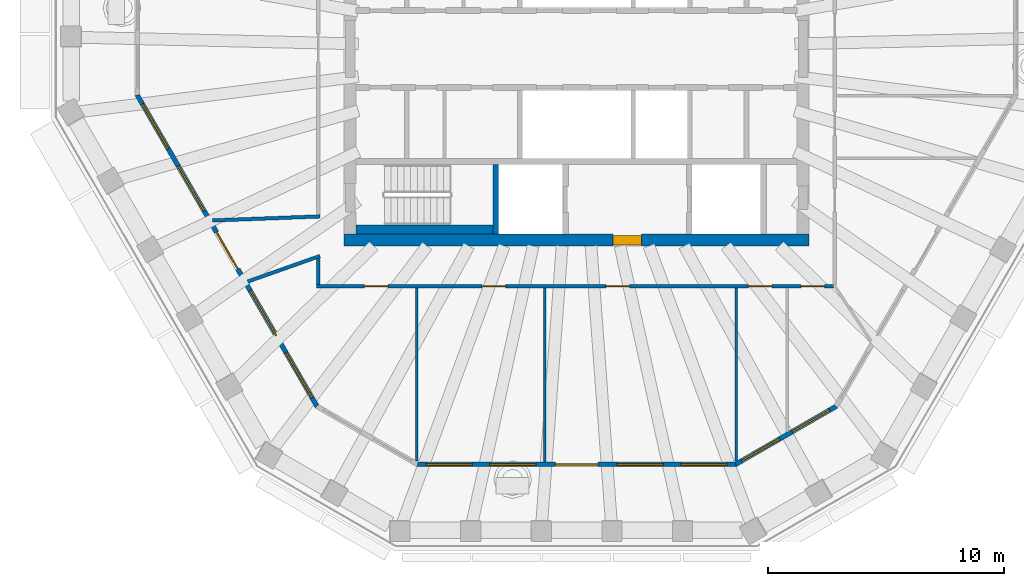
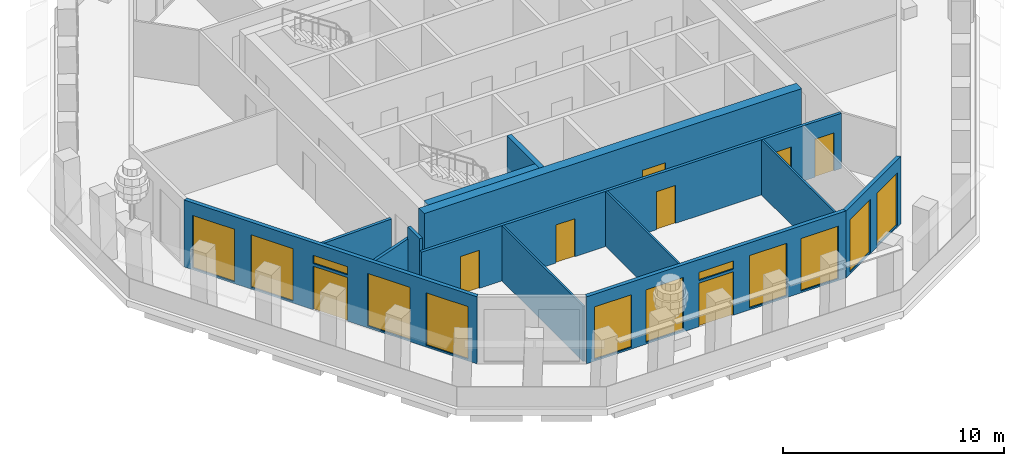
# One storey, part 3 of 11: 13 walls, 12 windows, 8 doors, 20 openings.
"""IFC4 building model written with IfcOpenShell, lengths in metres."""

from ifc_helpers import new_model, si_unit, direction, frame, frame_2d, origin, place, context, subcontext, project, spatial, polyline, rectangle, outline, extrude, material, layer, layer_set, type_object, element, fill, save


model = new_model("IFC4")

# Units and contexts
model_context = context("Model", 3, precision=1e-05, world=origin(), true_north=direction((0.0, 1.0)))
body_context = subcontext(model_context, "Body", "Model", "MODEL_VIEW")
ifc_project = project(units=[si_unit("LENGTHUNIT", "METRE"), si_unit("AREAUNIT", "SQUARE_METRE"), si_unit("VOLUMEUNIT", "CUBIC_METRE"), si_unit("PLANEANGLEUNIT", "RADIAN"), si_unit("MASSUNIT", "GRAM", prefix="KILO")], contexts=[model_context])

# Site, building, storey
site_placement = place(None, origin())
site = spatial("IfcSite", under=ifc_project, at=site_placement, CompositionType="ELEMENT")
building_placement = place(site_placement, origin())
building = spatial("IfcBuilding", under=site, at=building_placement, Name="Frailejon Research Tower", CompositionType="ELEMENT")
storey_placement = place(building_placement, frame((0.0, 0.0, 324.60009765625)))
storey = spatial("IfcBuildingStorey", under=building, at=storey_placement, Name="L72", CompositionType="ELEMENT", Elevation=324.60009765625)

# Wall, opening, door
ifc_material_1 = material(Name="Concrete C50/60", Category="concrete")
ifc_layer_1 = layer(ifc_material_1, 0.5)
ifc_layer_set_1 = layer_set([ifc_layer_1], Name="Core shear wall 500 C50/60")
wall_type_1 = type_object("IfcWallType", Name="Core shear wall 500 C50/60", PredefinedType="SHEAR", material=ifc_layer_set_1)
wall_1_placement = place(storey_placement, frame((-9.85009765625, -8.10009765625, 0.0), z_axis=(0.0, 0.0, 1.0), x_axis=(1.0, 0.0, 0.0)))
wall_1 = element("IfcWall", 1, at=wall_1_placement, inside=storey, type_object=wall_type_1, Name="Core shear wall", PredefinedType="SHEAR", context=body_context, shape_type="SweptSolid", body=[
    extrude(rectangle(XDim=19.7001953125, YDim=0.5, at=frame_2d((9.85009765625, 0.0))), origin(), (0.0, 0.0, 1.0), 3.699951171875),
])
opening_1_placement = place(wall_1_placement, frame((11.39990234375, 0.0, 0.0)))
opening_1 = element("IfcOpeningElement", 2, at=opening_1_placement, cuts=wall_1, Name="Opening D3", PredefinedType="OPENING", context=body_context, shape_type="SweptSolid", body=[
    extrude(rectangle(XDim=1.199951171875, YDim=2.10009765625, at=frame_2d((0.60009765625, 1.050048828125))), frame((0.0, 0.260009765625, 0.0), z_axis=(0.0, -1.0, 0.0), x_axis=(1.0, 0.0, 0.0)), (0.0, 0.0, 1.0), 0.52001953125),
])
ifc_material_2 = material(Name="Steel", Category="steel")
door_type_1 = type_object("IfcDoorType", Name="Firefighting lobby door", OperationType="SINGLE_SWING_LEFT", PredefinedType="DOOR", material=ifc_material_2)
door_1_placement = place(opening_1_placement, origin())
door_1 = element("IfcDoor", 3, at=door_1_placement, inside=storey, type_object=door_type_1, Name="Firefighting lobby door", OperationType="SINGLE_SWING_LEFT", OverallHeight=2.10009765625, OverallWidth=1.199951171875, PredefinedType="DOOR", context=body_context, shape_type="SweptSolid", body=[
    extrude(rectangle(XDim=1.199951171875, YDim=2.10009765625, at=frame_2d((0.60009765625, 1.050048828125))), frame((0.0, 0.199951171875, 0.0), z_axis=(0.0, -1.0, 0.0), x_axis=(1.0, 0.0, 0.0)), (0.0, 0.0, 1.0), 0.39990234375),
])
fill(opening_1, door_1)

# Wall
ifc_material_3 = material(Name="Gypsum board and masonry partition", Category="masonry")
ifc_layer_2 = layer(ifc_material_3, 0.14990234375)
ifc_layer_set_2 = layer_set([ifc_layer_2], Name="Corridor wall EI 60, gypsum on steel studs 150")
wall_type_2 = type_object("IfcWallType", Name="Corridor wall EI 60, gypsum on steel studs 150", PredefinedType="PARTITIONING", material=ifc_layer_set_2)
wall_2_placement = place(storey_placement, frame((-10.949951171875, -9.97509765625, 0.0), z_axis=(0.0, 0.0, 1.0), x_axis=(0.0, 1.0, 0.0)))
element("IfcWall", 4, at=wall_2_placement, inside=storey, type_object=wall_type_2, Name="T:IW:L72:006", PredefinedType="PARTITIONING", context=body_context, shape_type="SweptSolid", body=[
    extrude(rectangle(XDim=1.10009765625, YDim=0.14990234375, at=frame_2d((0.550048828125, 0.0))), origin(), (0.0, 0.0, 1.0), 3.699951171875),
])

# Wall, openings, doors
wall_3_placement = place(storey_placement, frame((-11.02490234375, -10.050048828125, 0.0), z_axis=(0.0, 0.0, 1.0), x_axis=(1.0, 0.0, 0.0)))
wall_3 = element("IfcWall", 5, at=wall_3_placement, inside=storey, type_object=wall_type_2, Name="T:IW:L72:008", PredefinedType="PARTITIONING", context=body_context, shape_type="SweptSolid", body=[
    extrude(rectangle(XDim=21.9248046875, YDim=0.14990234375, at=frame_2d((10.96240234375, 0.0))), origin(), (0.0, 0.0, 1.0), 3.0498046875),
])
opening_2_placement = place(wall_3_placement, frame((2.034912109375, 0.0, 0.0)))
opening_2 = element("IfcOpeningElement", 6, at=opening_2_placement, cuts=wall_3, Name="Opening D2357", PredefinedType="OPENING", context=body_context, shape_type="SweptSolid", body=[
    extrude(rectangle(XDim=1.0, YDim=2.10009765625, at=frame_2d((0.5, 1.050048828125))), frame((0.0, 0.0849609375, 0.0), z_axis=(0.0, -1.0, 0.0), x_axis=(1.0, 0.0, 0.0)), (0.0, 0.0, 1.0), 0.169921875),
])
opening_3_placement = place(wall_3_placement, frame((7.018798828125, 0.0, 0.0)))
opening_3 = element("IfcOpeningElement", 7, at=opening_3_placement, cuts=wall_3, Name="Opening D2358", PredefinedType="OPENING", context=body_context, shape_type="SweptSolid", body=[
    extrude(rectangle(XDim=1.0, YDim=2.10009765625, at=frame_2d((0.5, 1.050048828125))), frame((0.0, 0.0849609375, 0.0), z_axis=(0.0, -1.0, 0.0), x_axis=(1.0, 0.0, 0.0)), (0.0, 0.0, 1.0), 0.169921875),
])
opening_4_placement = place(wall_3_placement, frame((12.270263671875, 0.0, 0.0)))
opening_4 = element("IfcOpeningElement", 8, at=opening_4_placement, cuts=wall_3, Name="Opening D2359", PredefinedType="OPENING", context=body_context, shape_type="SweptSolid", body=[
    extrude(rectangle(XDim=1.0, YDim=2.10009765625, at=frame_2d((0.5, 1.050048828125))), frame((0.0, 0.0849609375, 0.0), z_axis=(0.0, -1.0, 0.0), x_axis=(1.0, 0.0, 0.0)), (0.0, 0.0, 1.0), 0.169921875),
])
opening_5_placement = place(wall_3_placement, frame((18.305908203125, 0.0, 0.0)))
opening_5 = element("IfcOpeningElement", 9, at=opening_5_placement, cuts=wall_3, Name="Opening D2360", PredefinedType="OPENING", context=body_context, shape_type="SweptSolid", body=[
    extrude(rectangle(XDim=1.0, YDim=2.10009765625, at=frame_2d((0.5, 1.050048828125))), frame((0.0, 0.0849609375, 0.0), z_axis=(0.0, -1.0, 0.0), x_axis=(1.0, 0.0, 0.0)), (0.0, 0.0, 1.0), 0.169921875),
])
opening_6_placement = place(wall_3_placement, frame((20.54345703125, 0.0, 0.0)))
opening_6 = element("IfcOpeningElement", 10, at=opening_6_placement, cuts=wall_3, Name="Opening D2361", PredefinedType="OPENING", context=body_context, shape_type="SweptSolid", body=[
    extrude(rectangle(XDim=1.0, YDim=2.10009765625, at=frame_2d((0.5, 1.050048828125))), frame((0.0, 0.0849609375, 0.0), z_axis=(0.0, -1.0, 0.0), x_axis=(1.0, 0.0, 0.0)), (0.0, 0.0, 1.0), 0.169921875),
])
ifc_material_4 = material(Name="Timber door leaf", Category="wood")
door_type_2 = type_object("IfcDoorType", Name="Door single leaf, timber, steel frame 1000", OperationType="NOTDEFINED", PredefinedType="DOOR", material=ifc_material_4)
door_2_placement = place(opening_2_placement, origin())
door_2 = element("IfcDoor", 11, at=door_2_placement, inside=storey, type_object=door_type_2, Name="D2357", OperationType="SINGLE_SWING_RIGHT", OverallHeight=2.10009765625, OverallWidth=1.0, PredefinedType="DOOR", context=body_context, shape_type="SweptSolid", body=[
    extrude(rectangle(XDim=1.0, YDim=2.10009765625, at=frame_2d((0.5, 1.050048828125))), frame((0.0, 0.02490234375, 0.0), z_axis=(0.0, -1.0, 0.0), x_axis=(1.0, 0.0, 0.0)), (0.0, 0.0, 1.0), 0.050048828125),
])
fill(opening_2, door_2)
door_3_placement = place(opening_3_placement, origin())
door_3 = element("IfcDoor", 12, at=door_3_placement, inside=storey, type_object=door_type_2, Name="D2358", OperationType="SINGLE_SWING_LEFT", OverallHeight=2.10009765625, OverallWidth=1.0, PredefinedType="DOOR", context=body_context, shape_type="SweptSolid", body=[
    extrude(rectangle(XDim=1.0, YDim=2.10009765625, at=frame_2d((0.5, 1.050048828125))), frame((0.0, 0.02490234375, 0.0), z_axis=(0.0, -1.0, 0.0), x_axis=(1.0, 0.0, 0.0)), (0.0, 0.0, 1.0), 0.050048828125),
])
fill(opening_3, door_3)
door_4_placement = place(opening_4_placement, origin())
door_4 = element("IfcDoor", 13, at=door_4_placement, inside=storey, type_object=door_type_2, Name="D2359", OperationType="SINGLE_SWING_LEFT", OverallHeight=2.10009765625, OverallWidth=1.0, PredefinedType="DOOR", context=body_context, shape_type="SweptSolid", body=[
    extrude(rectangle(XDim=1.0, YDim=2.10009765625, at=frame_2d((0.5, 1.050048828125))), frame((0.0, 0.02490234375, 0.0), z_axis=(0.0, -1.0, 0.0), x_axis=(1.0, 0.0, 0.0)), (0.0, 0.0, 1.0), 0.050048828125),
])
fill(opening_4, door_4)
door_5_placement = place(opening_5_placement, origin())
door_5 = element("IfcDoor", 14, at=door_5_placement, inside=storey, type_object=door_type_2, Name="D2360", OperationType="SINGLE_SWING_LEFT", OverallHeight=2.10009765625, OverallWidth=1.0, PredefinedType="DOOR", context=body_context, shape_type="SweptSolid", body=[
    extrude(rectangle(XDim=1.0, YDim=2.10009765625, at=frame_2d((0.5, 1.050048828125))), frame((0.0, 0.02490234375, 0.0), z_axis=(0.0, -1.0, 0.0), x_axis=(1.0, 0.0, 0.0)), (0.0, 0.0, 1.0), 0.050048828125),
])
fill(opening_5, door_5)
door_6_placement = place(opening_6_placement, origin())
door_6 = element("IfcDoor", 15, at=door_6_placement, inside=storey, type_object=door_type_2, Name="D2361", OperationType="SINGLE_SWING_RIGHT", OverallHeight=2.10009765625, OverallWidth=1.0, PredefinedType="DOOR", context=body_context, shape_type="SweptSolid", body=[
    extrude(rectangle(XDim=1.0, YDim=2.10009765625, at=frame_2d((0.5, 1.050048828125))), frame((0.0, 0.02490234375, 0.0), z_axis=(0.0, -1.0, 0.0), x_axis=(1.0, 0.0, 0.0)), (0.0, 0.0, 1.0), 0.050048828125),
])
fill(opening_6, door_6)

# Walls
wall_4_placement = place(storey_placement, frame((-15.43408203125, -7.267578125, 0.0), z_axis=(0.0, 0.0, 1.0), x_axis=(0.999302167233, 0.037352089147, 0.0)))
element("IfcWall", 16, at=wall_4_placement, inside=storey, type_object=wall_type_2, Name="T:IW:L72:009", PredefinedType="PARTITIONING", context=body_context, shape_type="SweptSolid", body=[
    extrude(rectangle(XDim=4.562255859375, YDim=0.14990234375, at=frame_2d((2.28125, 0.0))), origin(), (0.0, 0.0, 1.0), 3.0498046875),
])
wall_5_placement = place(storey_placement, frame((-13.939453125, -9.856201171875, 0.0), z_axis=(0.0, 0.0, 1.0), x_axis=(0.942866668551, 0.333170294799, 0.0)))
element("IfcWall", 17, at=wall_5_placement, inside=storey, type_object=wall_type_2, Name="T:IW:L72:010", PredefinedType="PARTITIONING", context=body_context, shape_type="SweptSolid", body=[
    extrude(rectangle(XDim=3.24560546875, YDim=0.14990234375, at=frame_2d((1.622802734375, 0.0))), origin(), (0.0, 0.0, 1.0), 3.0498046875),
])
ifc_material_5 = material(Name="Gypsum board and masonry partition", Category="masonry")
ifc_layer_3 = layer(ifc_material_5, 0.10009765625)
ifc_layer_set_3 = layer_set([ifc_layer_3], Name="Partition, gypsum on steel studs 100")
wall_type_3 = type_object("IfcWallType", Name="Partition, gypsum on steel studs 100", PredefinedType="PARTITIONING", material=ifc_layer_set_3)
wall_6_placement = place(storey_placement, frame((-6.7734375, -17.471923828125, 0.0), z_axis=(0.0, 0.0, 1.0), x_axis=(0.0, 1.0, 0.0)))
element("IfcWall", 18, at=wall_6_placement, inside=storey, type_object=wall_type_3, Name="T:IW:L72:019", PredefinedType="PARTITIONING", context=body_context, shape_type="SweptSolid", body=[
    extrude(rectangle(XDim=7.346923828125, YDim=0.10009765625, at=frame_2d((3.67333984375, 0.0))), origin(), (0.0, 0.0, 1.0), 3.0498046875),
])
wall_7_placement = place(storey_placement, frame((-1.354736328125, -17.502685546875, 0.0), z_axis=(0.0, 0.0, 1.0), x_axis=(0.0, 1.0, 0.0)))
element("IfcWall", 19, at=wall_7_placement, inside=storey, type_object=wall_type_3, Name="T:IW:L72:020", PredefinedType="PARTITIONING", context=body_context, shape_type="SweptSolid", body=[
    extrude(rectangle(XDim=7.377685546875, YDim=0.10009765625, at=frame_2d((3.68896484375, 0.0))), origin(), (0.0, 0.0, 1.0), 3.0498046875),
])
wall_8_placement = place(storey_placement, frame((6.7734375, -17.471923828125, 0.0), z_axis=(0.0, 0.0, 1.0), x_axis=(0.0, 1.0, 0.0)))
element("IfcWall", 20, at=wall_8_placement, inside=storey, type_object=wall_type_3, Name="T:IW:L72:021", PredefinedType="PARTITIONING", context=body_context, shape_type="SweptSolid", body=[
    extrude(rectangle(XDim=7.346923828125, YDim=0.10009765625, at=frame_2d((3.67333984375, 0.0))), origin(), (0.0, 0.0, 1.0), 3.0498046875),
])
ifc_material_6 = material(Name="Concrete C50/60", Category="concrete")
ifc_layer_4 = layer(ifc_material_6, 0.25)
ifc_layer_set_4 = layer_set([ifc_layer_4], Name="Shaft wall 250 C50/60")
wall_type_4 = type_object("IfcWallType", Name="Shaft wall 250 C50/60", PredefinedType="SOLIDWALL", material=ifc_layer_set_4)
wall_9_placement = place(storey_placement, frame((-3.425048828125, -7.85009765625, 0.0), z_axis=(0.0, 0.0, 1.0), x_axis=(0.0, 1.0, 0.0)))
element("IfcWall", 21, at=wall_9_placement, inside=storey, type_object=wall_type_4, Name="Shaft wall", PredefinedType="SOLIDWALL", context=body_context, shape_type="SweptSolid", body=[
    extrude(rectangle(XDim=2.9501953125, YDim=0.25, at=frame_2d((1.47509765625, 0.0))), origin(), (0.0, 0.0, 1.0), 3.699951171875),
])
ifc_material_7 = material(Name="Concrete C50/60", Category="concrete")
ifc_layer_5 = layer(ifc_material_7, 0.39990234375)
ifc_layer_set_5 = layer_set([ifc_layer_5], Name="Shaft wall 400 C50/60")
wall_type_5 = type_object("IfcWallType", Name="Shaft wall 400 C50/60", PredefinedType="SOLIDWALL", material=ifc_layer_set_5)
wall_10_placement = place(storey_placement, frame((-9.35009765625, -7.64990234375, 0.0), z_axis=(0.0, 0.0, 1.0), x_axis=(1.0, 0.0, 0.0)))
element("IfcWall", 22, at=wall_10_placement, inside=storey, type_object=wall_type_5, Name="Shaft wall", PredefinedType="SOLIDWALL", context=body_context, shape_type="SweptSolid", body=[
    extrude(rectangle(XDim=5.800048828125, YDim=0.39990234375, at=frame_2d((2.89990234375, 0.0))), origin(), (0.0, 0.0, 1.0), 3.699951171875),
])

# Wall, openings, door, windows
ifc_material_8 = material(Name="Concrete C40/50 precast window wall panel", Category="concrete")
ifc_layer_6 = layer(ifc_material_8, 0.199951171875)
ifc_layer_set_6 = layer_set([ifc_layer_6], Name="Window wall 200")
wall_type_6 = type_object("IfcWallType", Name="Window wall 200", PredefinedType="SOLIDWALL", material=ifc_layer_set_6)
wall_11_placement = place(storey_placement, frame((-18.617919921875, -1.952880859375, 0.0), z_axis=(0.0, 0.0, 1.0), x_axis=(0.500003117631, -0.866023603812, 0.0)))
wall_11 = element("IfcWall", 23, at=wall_11_placement, inside=storey, type_object=wall_type_6, Name="Exterior wall L72", PredefinedType="SOLIDWALL", context=body_context, shape_type="SweptSolid", body=[
    extrude(outline(polyline([(-0.02685546875, -0.10009765625), (0.992431640625, -0.10009765625), (2.01171875, -0.10009765625), (3.031005859375, -0.10009765625), (4.05029296875, -0.10009765625), (5.069580078125, -0.10009765625), (6.0888671875, -0.10009765625), (7.108154296875, -0.10009765625), (8.127197265625, -0.10009765625), (9.146484375, -0.10009765625), (10.165771484375, -0.10009765625), (11.18505859375, -0.10009765625), (12.204345703125, -0.10009765625), (13.2236328125, -0.10009765625), (14.242919921875, -0.10009765625), (15.26220703125, -0.10009765625), (15.20849609375, 0.10009765625), (14.1962890625, 0.10009765625), (13.184326171875, 0.10009765625), (12.172119140625, 0.10009765625), (11.16015625, 0.10009765625), (10.14794921875, 0.10009765625), (9.1357421875, 0.10009765625), (8.123779296875, 0.10009765625), (7.111572265625, 0.10009765625), (6.099609375, 0.10009765625), (5.08740234375, 0.10009765625), (4.0751953125, 0.10009765625), (3.063232421875, 0.10009765625), (2.051025390625, 0.10009765625), (1.0390625, 0.10009765625), (0.02685546875, 0.10009765625), (-0.02685546875, -0.10009765625)])), origin(), (0.0, 0.0, 1.0), 3.699951171875),
])
opening_7_placement = place(wall_11_placement, frame((0.423583984375, 0.0, 0.10009765625)))
opening_7 = element("IfcOpeningElement", 24, at=opening_7_placement, cuts=wall_11, Name="Opening W28", PredefinedType="OPENING", context=body_context, shape_type="SweptSolid", body=[
    extrude(rectangle(XDim=2.199951171875, YDim=2.89990234375, at=frame_2d((1.10009765625, 1.449951171875))), frame((0.0, 0.10986328125, 0.0), z_axis=(0.0, -1.0, 0.0), x_axis=(1.0, 0.0, 0.0)), (0.0, 0.0, 1.0), 0.219970703125),
])
opening_8_placement = place(wall_11_placement, frame((3.470458984375, 0.0, 0.10009765625)))
opening_8 = element("IfcOpeningElement", 25, at=opening_8_placement, cuts=wall_11, Name="Opening W28", PredefinedType="OPENING", context=body_context, shape_type="SweptSolid", body=[
    extrude(rectangle(XDim=2.199951171875, YDim=2.89990234375, at=frame_2d((1.10009765625, 1.449951171875))), frame((0.0, 0.10986328125, 0.0), z_axis=(0.0, -1.0, 0.0), x_axis=(1.0, 0.0, 0.0)), (0.0, 0.0, 1.0), 0.219970703125),
])
opening_9_placement = place(wall_11_placement, frame((6.717529296875, 0.0, 0.0)))
opening_9 = element("IfcOpeningElement", 26, at=opening_9_placement, cuts=wall_11, Name="Opening LG72-4", PredefinedType="OPENING", context=body_context, shape_type="SweptSolid", body=[
    extrude(rectangle(XDim=1.800048828125, YDim=2.39990234375, at=frame_2d((0.89990234375, 1.199951171875))), frame((0.0, 0.10986328125, 0.0), z_axis=(0.0, -1.0, 0.0), x_axis=(1.0, 0.0, 0.0)), (0.0, 0.0, 1.0), 0.219970703125),
])
opening_10_placement = place(wall_11_placement, frame((6.717529296875, 0.0, 2.550048828125)))
opening_10 = element("IfcOpeningElement", 27, at=opening_10_placement, cuts=wall_11, Name="Opening W1", PredefinedType="OPENING", context=body_context, shape_type="SweptSolid", body=[
    extrude(rectangle(XDim=1.800048828125, YDim=0.449951171875, at=frame_2d((0.89990234375, 0.22509765625))), frame((0.0, 0.10986328125, 0.0), z_axis=(0.0, -1.0, 0.0), x_axis=(1.0, 0.0, 0.0)), (0.0, 0.0, 1.0), 0.219970703125),
])
opening_11_placement = place(wall_11_placement, frame((9.564697265625, 0.0, 0.10009765625)))
opening_11 = element("IfcOpeningElement", 28, at=opening_11_placement, cuts=wall_11, Name="Opening W28", PredefinedType="OPENING", context=body_context, shape_type="SweptSolid", body=[
    extrude(rectangle(XDim=2.199951171875, YDim=2.89990234375, at=frame_2d((1.10009765625, 1.449951171875))), frame((0.0, 0.10986328125, 0.0), z_axis=(0.0, -1.0, 0.0), x_axis=(1.0, 0.0, 0.0)), (0.0, 0.0, 1.0), 0.219970703125),
])
opening_12_placement = place(wall_11_placement, frame((12.611572265625, 0.0, 0.10009765625)))
opening_12 = element("IfcOpeningElement", 29, at=opening_12_placement, cuts=wall_11, Name="Opening W28", PredefinedType="OPENING", context=body_context, shape_type="SweptSolid", body=[
    extrude(rectangle(XDim=2.199951171875, YDim=2.89990234375, at=frame_2d((1.10009765625, 1.449951171875))), frame((0.0, 0.10986328125, 0.0), z_axis=(0.0, -1.0, 0.0), x_axis=(1.0, 0.0, 0.0)), (0.0, 0.0, 1.0), 0.219970703125),
])
ifc_material_9 = material(Name="Aluminium framed glazed door leaf", Category="aluminium")
door_type_3 = type_object("IfcDoorType", Name="Loggia door 1800x2400", OperationType="DOUBLE_DOOR_SINGLE_SWING", PredefinedType="DOOR", material=ifc_material_9)
door_7_placement = place(opening_9_placement, origin())
door_7 = element("IfcDoor", 30, at=door_7_placement, inside=storey, type_object=door_type_3, Name="Door LG72-4", OperationType="DOUBLE_DOOR_SINGLE_SWING", OverallHeight=2.39990234375, OverallWidth=1.800048828125, PredefinedType="DOOR", context=body_context, shape_type="SweptSolid", body=[
    extrude(rectangle(XDim=1.800048828125, YDim=2.39990234375, at=frame_2d((0.89990234375, 1.199951171875))), frame((0.0, 0.02490234375, 0.0), z_axis=(0.0, -1.0, 0.0), x_axis=(1.0, 0.0, 0.0)), (0.0, 0.0, 1.0), 0.050048828125),
])
fill(opening_9, door_7)
ifc_material_10 = material(Name="Aluminium framed double glazing", Category="aluminium")
window_type_1 = type_object("IfcWindowType", Name="Window 1800x450", PartitioningType="SINGLE_PANEL", PredefinedType="WINDOW", material=ifc_material_10)
window_1_placement = place(opening_10_placement, origin())
window_1 = element("IfcWindow", 31, at=window_1_placement, inside=storey, type_object=window_type_1, Name="Window L72", OverallHeight=0.449951171875, OverallWidth=1.800048828125, PartitioningType="SINGLE_PANEL", PredefinedType="WINDOW", context=body_context, shape_type="SweptSolid", body=[
    extrude(rectangle(XDim=1.800048828125, YDim=0.449951171875, at=frame_2d((0.89990234375, 0.22509765625))), frame((0.0, 0.030029296875, 0.0), z_axis=(0.0, -1.0, 0.0), x_axis=(1.0, 0.0, 0.0)), (0.0, 0.0, 1.0), 0.06005859375),
])
fill(opening_10, window_1)
ifc_material_11 = material(Name="Aluminium framed double glazing", Category="aluminium")
window_type_2 = type_object("IfcWindowType", Name="Window 2200x2900", PartitioningType="SINGLE_PANEL", PredefinedType="WINDOW", material=ifc_material_11)
window_2_placement = place(opening_7_placement, origin())
window_2 = element("IfcWindow", 32, at=window_2_placement, inside=storey, type_object=window_type_2, Name="Window L72", OverallHeight=2.89990234375, OverallWidth=2.199951171875, PartitioningType="SINGLE_PANEL", PredefinedType="WINDOW", context=body_context, shape_type="SweptSolid", body=[
    extrude(rectangle(XDim=2.199951171875, YDim=2.89990234375, at=frame_2d((1.10009765625, 1.449951171875))), frame((0.0, 0.030029296875, 0.0), z_axis=(0.0, -1.0, 0.0), x_axis=(1.0, 0.0, 0.0)), (0.0, 0.0, 1.0), 0.06005859375),
])
fill(opening_7, window_2)
window_3_placement = place(opening_8_placement, origin())
window_3 = element("IfcWindow", 33, at=window_3_placement, inside=storey, type_object=window_type_2, Name="Window L72", OverallHeight=2.89990234375, OverallWidth=2.199951171875, PartitioningType="SINGLE_PANEL", PredefinedType="WINDOW", context=body_context, shape_type="SweptSolid", body=[
    extrude(rectangle(XDim=2.199951171875, YDim=2.89990234375, at=frame_2d((1.10009765625, 1.449951171875))), frame((0.0, 0.030029296875, 0.0), z_axis=(0.0, -1.0, 0.0), x_axis=(1.0, 0.0, 0.0)), (0.0, 0.0, 1.0), 0.06005859375),
])
fill(opening_8, window_3)
window_4_placement = place(opening_11_placement, origin())
window_4 = element("IfcWindow", 34, at=window_4_placement, inside=storey, type_object=window_type_2, Name="Window L72", OverallHeight=2.89990234375, OverallWidth=2.199951171875, PartitioningType="SINGLE_PANEL", PredefinedType="WINDOW", context=body_context, shape_type="SweptSolid", body=[
    extrude(rectangle(XDim=2.199951171875, YDim=2.89990234375, at=frame_2d((1.10009765625, 1.449951171875))), frame((0.0, 0.030029296875, 0.0), z_axis=(0.0, -1.0, 0.0), x_axis=(1.0, 0.0, 0.0)), (0.0, 0.0, 1.0), 0.06005859375),
])
fill(opening_11, window_4)
window_5_placement = place(opening_12_placement, origin())
window_5 = element("IfcWindow", 35, at=window_5_placement, inside=storey, type_object=window_type_2, Name="Window L72", OverallHeight=2.89990234375, OverallWidth=2.199951171875, PartitioningType="SINGLE_PANEL", PredefinedType="WINDOW", context=body_context, shape_type="SweptSolid", body=[
    extrude(rectangle(XDim=2.199951171875, YDim=2.89990234375, at=frame_2d((1.10009765625, 1.449951171875))), frame((0.0, 0.030029296875, 0.0), z_axis=(0.0, -1.0, 0.0), x_axis=(1.0, 0.0, 0.0)), (0.0, 0.0, 1.0), 0.06005859375),
])
fill(opening_12, window_5)

wall_12_placement = place(storey_placement, frame((-6.74658203125, -17.602783203125, 0.0), z_axis=(0.0, 0.0, 1.0), x_axis=(1.0, 0.0, 0.0)))
wall_12 = element("IfcWall", 36, at=wall_12_placement, inside=storey, type_object=wall_type_6, Name="Exterior wall L72", PredefinedType="SOLIDWALL", context=body_context, shape_type="SweptSolid", body=[
    extrude(outline(polyline([(-0.02685546875, -0.10009765625), (1.01513671875, -0.10009765625), (2.057373046875, -0.10009765625), (3.099365234375, -0.10009765625), (4.141357421875, -0.10009765625), (5.18359375, -0.10009765625), (6.2255859375, -0.10009765625), (7.267578125, -0.10009765625), (8.3095703125, -0.10009765625), (9.351806640625, -0.10009765625), (10.393798828125, -0.10009765625), (11.435791015625, -0.10009765625), (12.47802734375, -0.10009765625), (13.52001953125, -0.10009765625), (13.46630859375, 0.10009765625), (12.4326171875, 0.10009765625), (11.398681640625, 0.10009765625), (10.364990234375, 0.10009765625), (9.3310546875, 0.10009765625), (8.29736328125, 0.10009765625), (7.263427734375, 0.10009765625), (6.229736328125, 0.10009765625), (5.19580078125, 0.10009765625), (4.162109375, 0.10009765625), (3.128173828125, 0.10009765625), (2.094482421875, 0.10009765625), (1.060546875, 0.10009765625), (0.02685546875, 0.10009765625), (-0.02685546875, -0.10009765625)])), origin(), (0.0, 0.0, 1.0), 3.699951171875),
])
opening_13_placement = place(wall_12_placement, frame((0.374267578125, 0.0, 0.10009765625)))
opening_13 = element("IfcOpeningElement", 37, at=opening_13_placement, cuts=wall_12, Name="Opening W27", PredefinedType="OPENING", context=body_context, shape_type="SweptSolid", body=[
    extrude(rectangle(XDim=1.949951171875, YDim=2.89990234375, at=frame_2d((0.97509765625, 1.449951171875))), frame((0.0, 0.10986328125, 0.0), z_axis=(0.0, -1.0, 0.0), x_axis=(1.0, 0.0, 0.0)), (0.0, 0.0, 1.0), 0.219970703125),
])
opening_14_placement = place(wall_12_placement, frame((3.072998046875, 0.0, 0.10009765625)))
opening_14 = element("IfcOpeningElement", 38, at=opening_14_placement, cuts=wall_12, Name="Opening W27", PredefinedType="OPENING", context=body_context, shape_type="SweptSolid", body=[
    extrude(rectangle(XDim=1.949951171875, YDim=2.89990234375, at=frame_2d((0.97509765625, 1.449951171875))), frame((0.0, 0.10986328125, 0.0), z_axis=(0.0, -1.0, 0.0), x_axis=(1.0, 0.0, 0.0)), (0.0, 0.0, 1.0), 0.219970703125),
])
opening_15_placement = place(wall_12_placement, frame((5.8466796875, 0.0, 0.0)))
opening_15 = element("IfcOpeningElement", 39, at=opening_15_placement, cuts=wall_12, Name="Opening LG72-5", PredefinedType="OPENING", context=body_context, shape_type="SweptSolid", body=[
    extrude(rectangle(XDim=1.800048828125, YDim=2.39990234375, at=frame_2d((0.89990234375, 1.199951171875))), frame((0.0, 0.10986328125, 0.0), z_axis=(0.0, -1.0, 0.0), x_axis=(1.0, 0.0, 0.0)), (0.0, 0.0, 1.0), 0.219970703125),
])
opening_16_placement = place(wall_12_placement, frame((5.8466796875, 0.0, 2.550048828125)))
opening_16 = element("IfcOpeningElement", 40, at=opening_16_placement, cuts=wall_12, Name="Opening W1", PredefinedType="OPENING", context=body_context, shape_type="SweptSolid", body=[
    extrude(rectangle(XDim=1.800048828125, YDim=0.449951171875, at=frame_2d((0.89990234375, 0.22509765625))), frame((0.0, 0.10986328125, 0.0), z_axis=(0.0, -1.0, 0.0), x_axis=(1.0, 0.0, 0.0)), (0.0, 0.0, 1.0), 0.219970703125),
])
opening_17_placement = place(wall_12_placement, frame((8.47021484375, 0.0, 0.10009765625)))
opening_17 = element("IfcOpeningElement", 41, at=opening_17_placement, cuts=wall_12, Name="Opening W27", PredefinedType="OPENING", context=body_context, shape_type="SweptSolid", body=[
    extrude(rectangle(XDim=1.949951171875, YDim=2.89990234375, at=frame_2d((0.97509765625, 1.449951171875))), frame((0.0, 0.10986328125, 0.0), z_axis=(0.0, -1.0, 0.0), x_axis=(1.0, 0.0, 0.0)), (0.0, 0.0, 1.0), 0.219970703125),
])
opening_18_placement = place(wall_12_placement, frame((11.1689453125, 0.0, 0.10009765625)))
opening_18 = element("IfcOpeningElement", 42, at=opening_18_placement, cuts=wall_12, Name="Opening W27", PredefinedType="OPENING", context=body_context, shape_type="SweptSolid", body=[
    extrude(rectangle(XDim=1.949951171875, YDim=2.89990234375, at=frame_2d((0.97509765625, 1.449951171875))), frame((0.0, 0.10986328125, 0.0), z_axis=(0.0, -1.0, 0.0), x_axis=(1.0, 0.0, 0.0)), (0.0, 0.0, 1.0), 0.219970703125),
])
door_8_placement = place(opening_15_placement, origin())
door_8 = element("IfcDoor", 43, at=door_8_placement, inside=storey, type_object=door_type_3, Name="Door LG72-5", OperationType="DOUBLE_DOOR_SINGLE_SWING", OverallHeight=2.39990234375, OverallWidth=1.800048828125, PredefinedType="DOOR", context=body_context, shape_type="SweptSolid", body=[
    extrude(rectangle(XDim=1.800048828125, YDim=2.39990234375, at=frame_2d((0.89990234375, 1.199951171875))), frame((0.0, 0.02490234375, 0.0), z_axis=(0.0, -1.0, 0.0), x_axis=(1.0, 0.0, 0.0)), (0.0, 0.0, 1.0), 0.050048828125),
])
fill(opening_15, door_8)
window_6_placement = place(opening_16_placement, origin())
window_6 = element("IfcWindow", 44, at=window_6_placement, inside=storey, type_object=window_type_1, Name="Window L72", OverallHeight=0.449951171875, OverallWidth=1.800048828125, PartitioningType="SINGLE_PANEL", PredefinedType="WINDOW", context=body_context, shape_type="SweptSolid", body=[
    extrude(rectangle(XDim=1.800048828125, YDim=0.449951171875, at=frame_2d((0.89990234375, 0.22509765625))), frame((0.0, 0.030029296875, 0.0), z_axis=(0.0, -1.0, 0.0), x_axis=(1.0, 0.0, 0.0)), (0.0, 0.0, 1.0), 0.06005859375),
])
fill(opening_16, window_6)
ifc_material_12 = material(Name="Aluminium framed double glazing", Category="aluminium")
window_type_3 = type_object("IfcWindowType", Name="Window 1950x2900", PartitioningType="SINGLE_PANEL", PredefinedType="WINDOW", material=ifc_material_12)
window_7_placement = place(opening_13_placement, origin())
window_7 = element("IfcWindow", 45, at=window_7_placement, inside=storey, type_object=window_type_3, Name="Window L72", OverallHeight=2.89990234375, OverallWidth=1.949951171875, PartitioningType="SINGLE_PANEL", PredefinedType="WINDOW", context=body_context, shape_type="SweptSolid", body=[
    extrude(rectangle(XDim=1.949951171875, YDim=2.89990234375, at=frame_2d((0.97509765625, 1.449951171875))), frame((0.0, 0.030029296875, 0.0), z_axis=(0.0, -1.0, 0.0), x_axis=(1.0, 0.0, 0.0)), (0.0, 0.0, 1.0), 0.06005859375),
])
fill(opening_13, window_7)
window_8_placement = place(opening_14_placement, origin())
window_8 = element("IfcWindow", 46, at=window_8_placement, inside=storey, type_object=window_type_3, Name="Window L72", OverallHeight=2.89990234375, OverallWidth=1.949951171875, PartitioningType="SINGLE_PANEL", PredefinedType="WINDOW", context=body_context, shape_type="SweptSolid", body=[
    extrude(rectangle(XDim=1.949951171875, YDim=2.89990234375, at=frame_2d((0.97509765625, 1.449951171875))), frame((0.0, 0.030029296875, 0.0), z_axis=(0.0, -1.0, 0.0), x_axis=(1.0, 0.0, 0.0)), (0.0, 0.0, 1.0), 0.06005859375),
])
fill(opening_14, window_8)
window_9_placement = place(opening_17_placement, origin())
window_9 = element("IfcWindow", 47, at=window_9_placement, inside=storey, type_object=window_type_3, Name="Window L72", OverallHeight=2.89990234375, OverallWidth=1.949951171875, PartitioningType="SINGLE_PANEL", PredefinedType="WINDOW", context=body_context, shape_type="SweptSolid", body=[
    extrude(rectangle(XDim=1.949951171875, YDim=2.89990234375, at=frame_2d((0.97509765625, 1.449951171875))), frame((0.0, 0.030029296875, 0.0), z_axis=(0.0, -1.0, 0.0), x_axis=(1.0, 0.0, 0.0)), (0.0, 0.0, 1.0), 0.06005859375),
])
fill(opening_17, window_9)
window_10_placement = place(opening_18_placement, origin())
window_10 = element("IfcWindow", 48, at=window_10_placement, inside=storey, type_object=window_type_3, Name="Window L72", OverallHeight=2.89990234375, OverallWidth=1.949951171875, PartitioningType="SINGLE_PANEL", PredefinedType="WINDOW", context=body_context, shape_type="SweptSolid", body=[
    extrude(rectangle(XDim=1.949951171875, YDim=2.89990234375, at=frame_2d((0.97509765625, 1.449951171875))), frame((0.0, 0.030029296875, 0.0), z_axis=(0.0, -1.0, 0.0), x_axis=(1.0, 0.0, 0.0)), (0.0, 0.0, 1.0), 0.06005859375),
])
fill(opening_18, window_10)

# Wall, openings, windows
wall_13_placement = place(storey_placement, frame((6.74658203125, -17.602783203125, 0.0), z_axis=(0.0, 0.0, 1.0), x_axis=(0.866029143232, 0.499993523031, 0.0)))
wall_13 = element("IfcWall", 49, at=wall_13_placement, inside=storey, type_object=wall_type_6, Name="Exterior wall L72", PredefinedType="SOLIDWALL", context=body_context, shape_type="SweptSolid", body=[
    extrude(outline(polyline([(-0.02685546875, -0.10009765625), (1.21435546875, -0.10009765625), (2.455810546875, -0.10009765625), (3.697265625, -0.10009765625), (4.9384765625, -0.10009765625), (4.884765625, 0.10009765625), (3.67041015625, 0.10009765625), (2.455810546875, 0.10009765625), (1.2412109375, 0.10009765625), (0.02685546875, 0.10009765625), (-0.02685546875, -0.10009765625)])), origin(), (0.0, 0.0, 1.0), 3.699951171875),
])
opening_19_placement = place(wall_13_placement, frame((0.302978515625, 0.0, 0.10009765625)))
opening_19 = element("IfcOpeningElement", 50, at=opening_19_placement, cuts=wall_13, Name="Opening W26", PredefinedType="OPENING", context=body_context, shape_type="SweptSolid", body=[
    extrude(rectangle(XDim=1.85009765625, YDim=2.89990234375, at=frame_2d((0.925048828125, 1.449951171875))), frame((0.0, 0.10986328125, 0.0), z_axis=(0.0, -1.0, 0.0), x_axis=(1.0, 0.0, 0.0)), (0.0, 0.0, 1.0), 0.219970703125),
])
opening_20_placement = place(wall_13_placement, frame((2.7587890625, 0.0, 0.10009765625)))
opening_20 = element("IfcOpeningElement", 51, at=opening_20_placement, cuts=wall_13, Name="Opening W26", PredefinedType="OPENING", context=body_context, shape_type="SweptSolid", body=[
    extrude(rectangle(XDim=1.85009765625, YDim=2.89990234375, at=frame_2d((0.925048828125, 1.449951171875))), frame((0.0, 0.10986328125, 0.0), z_axis=(0.0, -1.0, 0.0), x_axis=(1.0, 0.0, 0.0)), (0.0, 0.0, 1.0), 0.219970703125),
])
ifc_material_13 = material(Name="Aluminium framed double glazing", Category="aluminium")
window_type_4 = type_object("IfcWindowType", Name="Window 1850x2900", PartitioningType="SINGLE_PANEL", PredefinedType="WINDOW", material=ifc_material_13)
window_11_placement = place(opening_19_placement, origin())
window_11 = element("IfcWindow", 52, at=window_11_placement, inside=storey, type_object=window_type_4, Name="Window L72", OverallHeight=2.89990234375, OverallWidth=1.85009765625, PartitioningType="SINGLE_PANEL", PredefinedType="WINDOW", context=body_context, shape_type="SweptSolid", body=[
    extrude(rectangle(XDim=1.85009765625, YDim=2.89990234375, at=frame_2d((0.925048828125, 1.449951171875))), frame((0.0, 0.030029296875, 0.0), z_axis=(0.0, -1.0, 0.0), x_axis=(1.0, 0.0, 0.0)), (0.0, 0.0, 1.0), 0.06005859375),
])
fill(opening_19, window_11)
window_12_placement = place(opening_20_placement, origin())
window_12 = element("IfcWindow", 53, at=window_12_placement, inside=storey, type_object=window_type_4, Name="Window L72", OverallHeight=2.89990234375, OverallWidth=1.85009765625, PartitioningType="SINGLE_PANEL", PredefinedType="WINDOW", context=body_context, shape_type="SweptSolid", body=[
    extrude(rectangle(XDim=1.85009765625, YDim=2.89990234375, at=frame_2d((0.925048828125, 1.449951171875))), frame((0.0, 0.030029296875, 0.0), z_axis=(0.0, -1.0, 0.0), x_axis=(1.0, 0.0, 0.0)), (0.0, 0.0, 1.0), 0.06005859375),
])
fill(opening_20, window_12)

save(model, "model.ifc")
